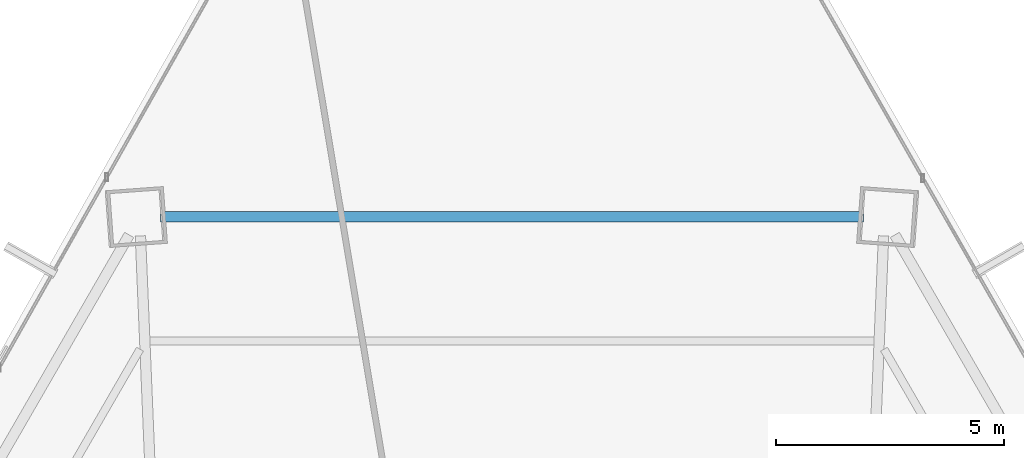
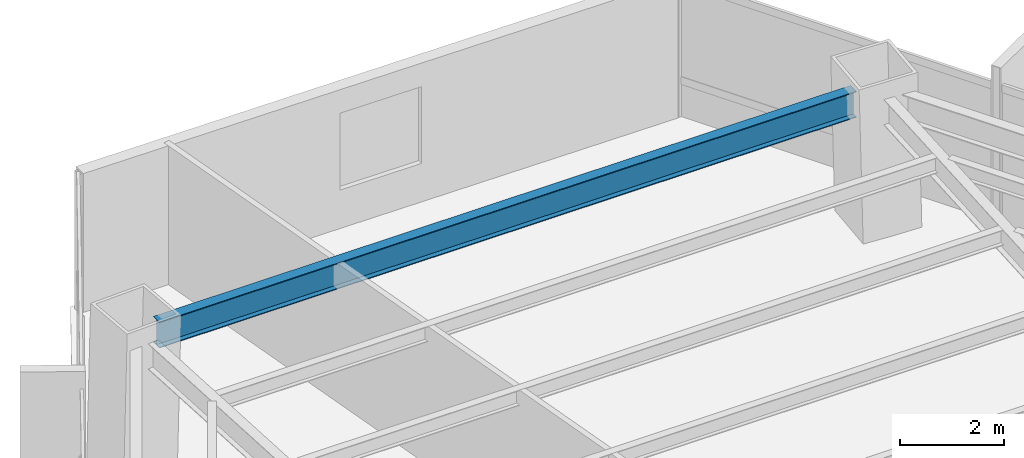
# One storey, part 28 of 39: 1 beam.
"""IFC4 building model written with IfcOpenShell, lengths in metres."""

from ifc_helpers import new_model, si_unit, direction, frame, origin, origin_2d, place, context, subcontext, project, spatial, i_section, extrude, source, transform, mapped, material, material_profile, profile_set, type_object, type_shapes, element, save


model = new_model("IFC4")

# Units and contexts
model_context = context("Model", 3, precision=1e-05, world=origin(), true_north=direction((0.0, 1.0)))
body_context = subcontext(model_context, "Body", "Model", "MODEL_VIEW")
ifc_project = project(units=[si_unit("LENGTHUNIT", "METRE"), si_unit("AREAUNIT", "SQUARE_METRE"), si_unit("VOLUMEUNIT", "CUBIC_METRE"), si_unit("PLANEANGLEUNIT", "RADIAN"), si_unit("MASSUNIT", "GRAM", prefix="KILO")], contexts=[model_context])

# Site, building, storey
site_placement = place(None, origin())
site = spatial("IfcSite", under=ifc_project, at=site_placement, CompositionType="ELEMENT")
building_placement = place(site_placement, origin())
building = spatial("IfcBuilding", under=site, at=building_placement, Name="Caelisora Broadcast Tower", CompositionType="ELEMENT")
storey_placement = place(building_placement, frame((0.0, 0.0, 71.39990234375)))
storey = spatial("IfcBuildingStorey", under=building, at=storey_placement, Name="L18", CompositionType="ELEMENT", Elevation=71.39990234375)

# Beam
ifc_material = material(Name="Steel Grade 350 (AS/NZS 3679.1)", Category="steel")
ifc_material_profile = material_profile(ifc_material, i_section(OverallWidth=0.22900390625, OverallDepth=0.611572265625, WebThickness=0.011962890625, FlangeThickness=0.01953125, at=origin_2d()), Name="Steel Grade 350 (AS/NZS 3679.1)")
ifc_profile_set = profile_set([ifc_material_profile], Name="Steel Grade 350 (AS/NZS 3679.1)")
beam_type = type_object("IfcBeamType", Name="PG03", PredefinedType="BEAM", material=ifc_profile_set)
shared_shape = source(origin(), body_context, "Body", "SweptSolid", [
    extrude(i_section(OverallWidth=0.22900390625, OverallDepth=0.611572265625, WebThickness=0.011962890625, FlangeThickness=0.01953125, at=origin_2d()), origin(), (0.0, 0.0, 1.0), 15.43603515625),
])
type_shapes(beam_type, [shared_shape])
beam_placement = place(storey_placement, frame((45.718017578125, 46.35546875, 2.9443359375), z_axis=(-1.0, 0.0, 0.0), x_axis=(0.0, -1.0, 0.0)))
element("IfcBeam", 1, at=beam_placement, inside=storey, type_object=beam_type, Name="L18 beam PG03", PredefinedType="BEAM", context=body_context, shape_type="MappedRepresentation", body=[
    mapped(shared_shape, transform((0.0, 0.0, 0.0), scale=1.0)),
])

save(model, "model.ifc")
